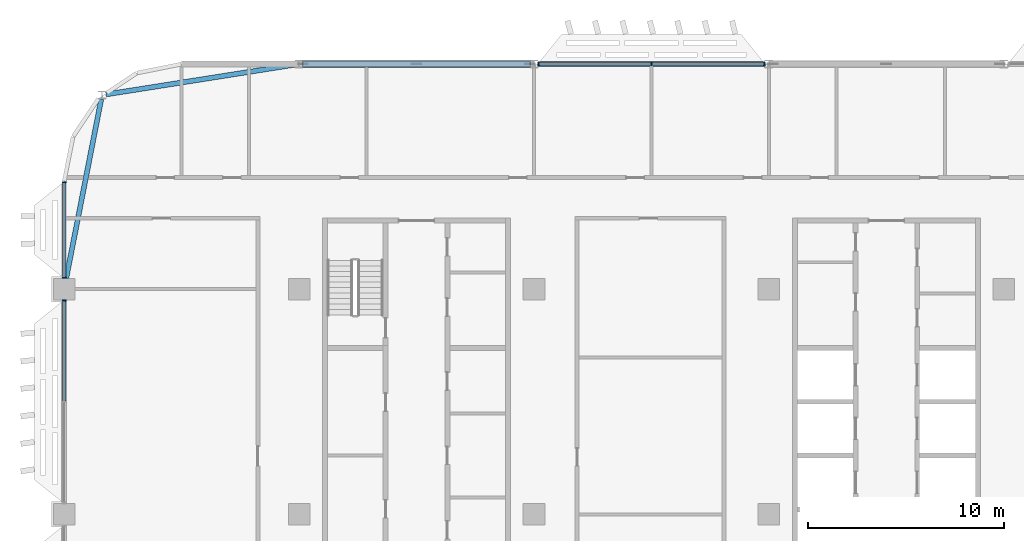
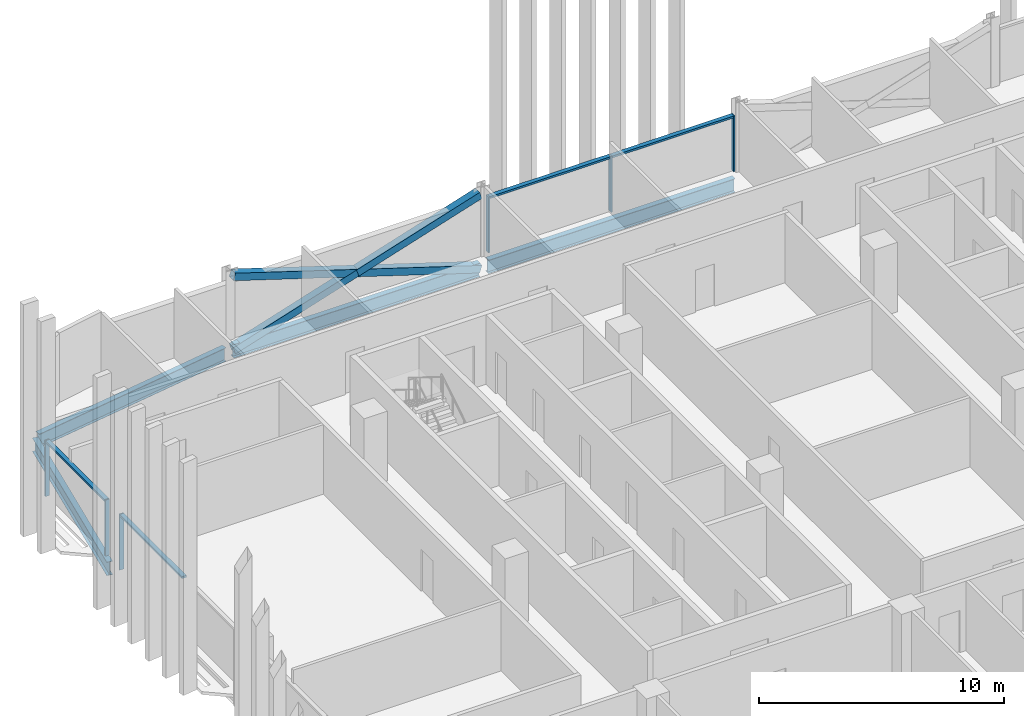
# One storey, part 7 of 30: 13 members, 4 beams, 3 elements without a shape of their own.
"""IFC4 building model written with IfcOpenShell, lengths in metres."""

from ifc_helpers import new_model, si_unit, direction, frame, origin, origin_2d, place, context, subcontext, project, spatial, rectangle, hollow_rectangle, i_section, extrude, material, material_profile, profile_set, type_object, element, aggregate, save


model = new_model("IFC4")

# Units and contexts
model_context = context("Model", 3, precision=1e-05, world=origin(), true_north=direction((0.0, 1.0)))
body_context = subcontext(model_context, "Body", "Model", "MODEL_VIEW")
ifc_project = project(units=[si_unit("LENGTHUNIT", "METRE"), si_unit("AREAUNIT", "SQUARE_METRE"), si_unit("VOLUMEUNIT", "CUBIC_METRE"), si_unit("PLANEANGLEUNIT", "RADIAN"), si_unit("MASSUNIT", "GRAM", prefix="KILO")], contexts=[model_context])

# Site, building, storey
site_placement = place(None, origin())
site = spatial("IfcSite", under=ifc_project, at=site_placement, CompositionType="ELEMENT")
building_placement = place(site_placement, origin())
building = spatial("IfcBuilding", under=site, at=building_placement, Name="Mahtab Terrace Research Tower", CompositionType="ELEMENT")
storey_placement = place(building_placement, frame((0.0, 0.0, 209.10009765625)))
storey = spatial("IfcBuildingStorey", under=building, at=storey_placement, Name="L50", CompositionType="ELEMENT", Elevation=209.10009765625)

# Members
ifc_material_1 = material(Name="Steel ASTM A500 Gr C", Category="steel")
ifc_material_profile_1 = material_profile(ifc_material_1, hollow_rectangle(XDim=0.355712890625, YDim=0.355712890625, WallThickness=0.015869140625, at=origin_2d()), Name="HSS14X14X5/8")
ifc_profile_set_1 = profile_set([ifc_material_profile_1], Name="Steel ASTM A500 Gr C")
member_type_1 = type_object("IfcMemberType", Name="HSS 14x14x5/8 brace XB141458", PredefinedType="BRACE", material=ifc_profile_set_1)
member_1_placement = place(storey_placement, frame((-18.20068359375, 23.0, -0.61572265625), z_axis=(-0.953337604941, 0.0, 0.301906295073), x_axis=(0.0, -1.0, 0.0)))
element("IfcMember", 1, at=member_1_placement, inside=storey, type_object=member_type_1, Name="Exoskeleton brace L50 07 a", PredefinedType="BRACE", context=body_context, shape_type="SweptSolid", body=[
    extrude(hollow_rectangle(XDim=0.355712890625, YDim=0.355712890625, WallThickness=0.015869140625, at=origin_2d()), origin(), (0.0, 0.0, 1.0), 12.166259765625),
])
for number, where, z_axis, x_axis, name in (
    (2, (-29.79931640625, 23.0, -0.61572265625), (0.953343380425, 0.0, 0.301888057067), (0.0, 1.0, 0.0), "Exoskeleton brace L50 07 b1"),
    (3, (-24.0, 23.0, 1.220703125), (0.953331829178, 0.0, 0.301924532749), (0.0, 1.0, 0.0), "Exoskeleton brace L50 07 b2"),
):
    element("IfcMember", number, at=place(storey_placement, frame(where, z_axis=z_axis, x_axis=x_axis)), inside=storey, type_object=member_type_1, Name=name, PredefinedType="BRACE", context=body_context, shape_type="SweptSolid", body=[
        extrude(hollow_rectangle(XDim=0.355712890625, YDim=0.355712890625, WallThickness=0.015869140625, at=origin_2d()), origin(), (0.0, 0.0, 1.0), 6.083251953125),
    ])

# Curtain wall, members
ifc_material_2 = material(Name="Laboratory ribbon curtain wall")
curtain_wall_type = type_object("IfcCurtainWallType", Name="Laboratory ribbon curtain wall", PredefinedType="NOTDEFINED", material=ifc_material_2)
curtain_wall_1_placement = place(storey_placement, origin())
curtain_wall_1 = element("IfcCurtainWall", 4, at=curtain_wall_1_placement, inside=storey, type_object=curtain_wall_type, Name="EN.L50.3.8", PredefinedType="NOTDEFINED")
ifc_material_3 = material(Name="Natural anodised aluminium", Category="aluminium")
ifc_material_profile_2 = material_profile(ifc_material_3, rectangle(XDim=0.199951171875, YDim=0.06494140625, at=origin_2d()), Name="MULLION 65x200")
ifc_profile_set_2 = profile_set([ifc_material_profile_2], Name="Natural anodised aluminium")
member_type_2 = type_object("IfcMemberType", Name="Laboratory ribbon curtain wall mullion", PredefinedType="MULLION", material=ifc_profile_set_2)
member_2_placement = place(storey_placement, frame((-6.232421875, 23.0, 0.0), z_axis=(0.0, 0.0, 1.0), x_axis=(0.0, -1.0, 0.0)))
member_2 = element("IfcMember", 5, at=member_2_placement, type_object=member_type_2, Name="CWL-6 mullion 1", PredefinedType="MULLION", context=body_context, shape_type="SweptSolid", body=[
    extrude(rectangle(XDim=0.199951171875, YDim=0.06494140625, at=origin_2d()), origin(), (0.0, 0.0, 1.0), 2.78173828125),
])
member_3_placement = place(storey_placement, frame((-12.0, 23.0, 0.0), z_axis=(0.0, 0.0, 1.0), x_axis=(0.0, -1.0, 0.0)))
member_3 = element("IfcMember", 6, at=member_3_placement, type_object=member_type_2, Name="CWL-6 mullion 2", PredefinedType="MULLION", context=body_context, shape_type="SweptSolid", body=[
    extrude(rectangle(XDim=0.199951171875, YDim=0.06494140625, at=origin_2d()), origin(), (0.0, 0.0, 1.0), 2.78173828125),
])
member_4_placement = place(storey_placement, frame((-17.767578125, 23.0, 0.0), z_axis=(0.0, 0.0, 1.0), x_axis=(0.0, -1.0, 0.0)))
member_4 = element("IfcMember", 7, at=member_4_placement, type_object=member_type_2, Name="CWL-6 mullion 3", PredefinedType="MULLION", context=body_context, shape_type="SweptSolid", body=[
    extrude(rectangle(XDim=0.199951171875, YDim=0.06494140625, at=origin_2d()), origin(), (0.0, 0.0, 1.0), 2.78173828125),
])

curtain_wall_2_placement = place(storey_placement, origin())
curtain_wall_2 = element("IfcCurtainWall", 8, at=curtain_wall_2_placement, inside=storey, type_object=curtain_wall_type, Name="EN.L50.8.15", PredefinedType="NOTDEFINED")
member_5_placement = place(storey_placement, frame((-42.0, 16.967529296875, 0.0), z_axis=(0.0, 0.0, 1.0), x_axis=(1.0, 0.0, 0.0)))
member_5 = element("IfcMember", 9, at=member_5_placement, type_object=member_type_2, Name="CWL-6 mullion 1", PredefinedType="MULLION", context=body_context, shape_type="SweptSolid", body=[
    extrude(rectangle(XDim=0.199951171875, YDim=0.06494140625, at=origin_2d()), origin(), (0.0, 0.0, 1.0), 2.78173828125),
])
member_6_placement = place(storey_placement, frame((-42.0, 12.08251953125, 0.0), z_axis=(0.0, 0.0, 1.0), x_axis=(1.0, 0.0, 0.0)))
member_6 = element("IfcMember", 10, at=member_6_placement, type_object=member_type_2, Name="CWL-6 mullion 2", PredefinedType="MULLION", context=body_context, shape_type="SweptSolid", body=[
    extrude(rectangle(XDim=0.199951171875, YDim=0.06494140625, at=origin_2d()), origin(), (0.0, 0.0, 1.0), 2.78173828125),
])

# Curtain wall, member
curtain_wall_3_placement = place(storey_placement, origin())
curtain_wall_3 = element("IfcCurtainWall", 11, at=curtain_wall_3_placement, inside=storey, type_object=curtain_wall_type, Name="EN.L50.8.16", PredefinedType="NOTDEFINED")
member_7_placement = place(storey_placement, frame((-42.0, 10.91748046875, 0.0), z_axis=(0.0, 0.0, 1.0), x_axis=(1.0, 0.0, 0.0)))
member_7 = element("IfcMember", 12, at=member_7_placement, type_object=member_type_2, Name="CWL-6 mullion 1", PredefinedType="MULLION", context=body_context, shape_type="SweptSolid", body=[
    extrude(rectangle(XDim=0.199951171875, YDim=0.06494140625, at=origin_2d()), origin(), (0.0, 0.0, 1.0), 2.78173828125),
])

# Member
ifc_material_profile_3 = material_profile(ifc_material_3, rectangle(XDim=0.199951171875, YDim=0.10009765625, at=origin_2d()), Name="TRANSOM 100x200")
ifc_profile_set_3 = profile_set([ifc_material_profile_3], Name="Natural anodised aluminium")
member_type_3 = type_object("IfcMemberType", Name="Laboratory ribbon curtain wall transom", PredefinedType="USERDEFINED", material=ifc_profile_set_3)
member_8_placement = place(storey_placement, frame((-6.264892578125, 23.0, 2.731689453125), z_axis=(-1.0, 0.0, 0.0), x_axis=(0.0, -1.0, 0.0)))
member_8 = element("IfcMember", 13, at=member_8_placement, type_object=member_type_3, Name="CWL-6 transom 1", ObjectType="TRANSOM", PredefinedType="USERDEFINED", context=body_context, shape_type="SweptSolid", body=[
    extrude(rectangle(XDim=0.199951171875, YDim=0.10009765625, at=origin_2d()), origin(), (0.0, 0.0, 1.0), 5.70263671875),
])

member_9_placement = place(storey_placement, frame((-12.032470703125, 23.0, 2.731689453125), z_axis=(-1.0, 0.0, 0.0), x_axis=(0.0, -1.0, 0.0)))
member_9 = element("IfcMember", 14, at=member_9_placement, type_object=member_type_3, Name="CWL-6 transom 2", ObjectType="TRANSOM", PredefinedType="USERDEFINED", context=body_context, shape_type="SweptSolid", body=[
    extrude(rectangle(XDim=0.199951171875, YDim=0.10009765625, at=origin_2d()), origin(), (0.0, 0.0, 1.0), 5.70263671875),
])

aggregate(curtain_wall_1, [member_2, member_3, member_4, member_8, member_9])

member_10_placement = place(storey_placement, frame((-42.0, 16.93505859375, 2.731689453125), z_axis=(0.0, -1.0, 0.0), x_axis=(1.0, 0.0, 0.0)))
member_10 = element("IfcMember", 15, at=member_10_placement, type_object=member_type_3, Name="CWL-6 transom 1", ObjectType="TRANSOM", PredefinedType="USERDEFINED", context=body_context, shape_type="SweptSolid", body=[
    extrude(rectangle(XDim=0.199951171875, YDim=0.10009765625, at=origin_2d()), origin(), (0.0, 0.0, 1.0), 4.820068359375),
])

aggregate(curtain_wall_2, [member_5, member_6, member_10])

member_11_placement = place(storey_placement, frame((-42.0, 10.885009765625, 2.731689453125), z_axis=(0.0, -1.0, 0.0), x_axis=(1.0, 0.0, 0.0)))
member_11 = element("IfcMember", 16, at=member_11_placement, type_object=member_type_3, Name="CWL-6 transom 1", ObjectType="TRANSOM", PredefinedType="USERDEFINED", context=body_context, shape_type="SweptSolid", body=[
    extrude(rectangle(XDim=0.199951171875, YDim=0.10009765625, at=origin_2d()), origin(), (0.0, 0.0, 1.0), 5.1025390625),
])

aggregate(curtain_wall_3, [member_7, member_11])

# Beams
ifc_material_4 = material(Name="Steel ASTM A992 Gr 50", Category="steel")
ifc_material_profile_4 = material_profile(ifc_material_4, i_section(OverallWidth=0.25390625, OverallDepth=0.67822265625, WebThickness=0.01171875, FlangeThickness=0.016357421875, at=origin_2d()), Name="W27X84")
ifc_profile_set_4 = profile_set([ifc_material_profile_4], Name="Steel ASTM A992 Gr 50")
beam_type = type_object("IfcBeamType", Name="W27x84 beam BS2784", PredefinedType="BEAM", material=ifc_profile_set_4)
for number, where, z_axis, x_axis, name in (
    (17, (-6.20068359375, 23.0, -0.67919921875), (-1.0, 0.0, 0.0), (0.0, -1.0, 0.0), "Spandrel beam L50 06"),
    (18, (-18.20068359375, 23.0, -0.67919921875), (-1.0, 0.0, 0.0), (0.0, -1.0, 0.0), "Spandrel beam L50 07"),
):
    element("IfcBeam", number, at=place(storey_placement, frame(where, z_axis=z_axis, x_axis=x_axis)), inside=storey, type_object=beam_type, Name=name, PredefinedType="BEAM", context=body_context, shape_type="SweptSolid", body=[
        extrude(i_section(OverallWidth=0.25390625, OverallDepth=0.67822265625, WebThickness=0.01171875, FlangeThickness=0.016357421875, at=origin_2d()), origin(), (0.0, 0.0, 1.0), 11.5986328125),
    ])
beam_1_placement = place(storey_placement, frame((-30.20068359375, 22.968505859375, -0.67919921875), z_axis=(-0.987831689273, -0.155526697604, 0.0), x_axis=(0.155526697604, -0.987831689273, 0.0)))
element("IfcBeam", 19, at=beam_1_placement, inside=storey, type_object=beam_type, Name="Spandrel beam L50 08", PredefinedType="BEAM", context=body_context, shape_type="SweptSolid", body=[
    extrude(i_section(OverallWidth=0.25390625, OverallDepth=0.67822265625, WebThickness=0.01171875, FlangeThickness=0.016357421875, at=origin_2d()), origin(), (0.0, 0.0, 1.0), 9.779541015625),
])
beam_2_placement = place(storey_placement, frame((-40.10107421875, 21.216552734375, -0.67919921875), z_axis=(-0.191811291145, -0.981431825747, 0.0), x_axis=(0.981431825747, -0.191811291145, 0.0)))
element("IfcBeam", 20, at=beam_2_placement, inside=storey, type_object=beam_type, Name="Spandrel beam L50 09", PredefinedType="BEAM", context=body_context, shape_type="SweptSolid", body=[
    extrude(i_section(OverallWidth=0.25390625, OverallDepth=0.67822265625, WebThickness=0.01171875, FlangeThickness=0.016357421875, at=origin_2d()), origin(), (0.0, 0.0, 1.0), 9.33984375),
])

save(model, "model.ifc")
